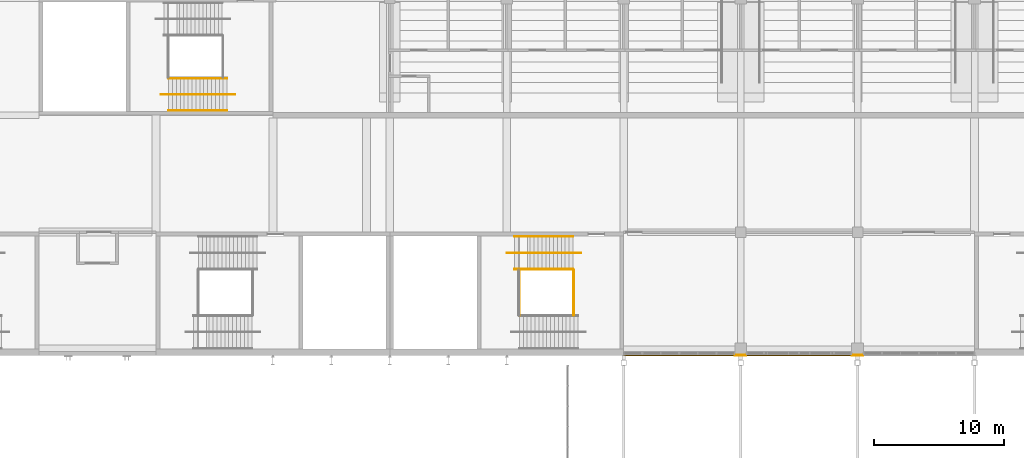
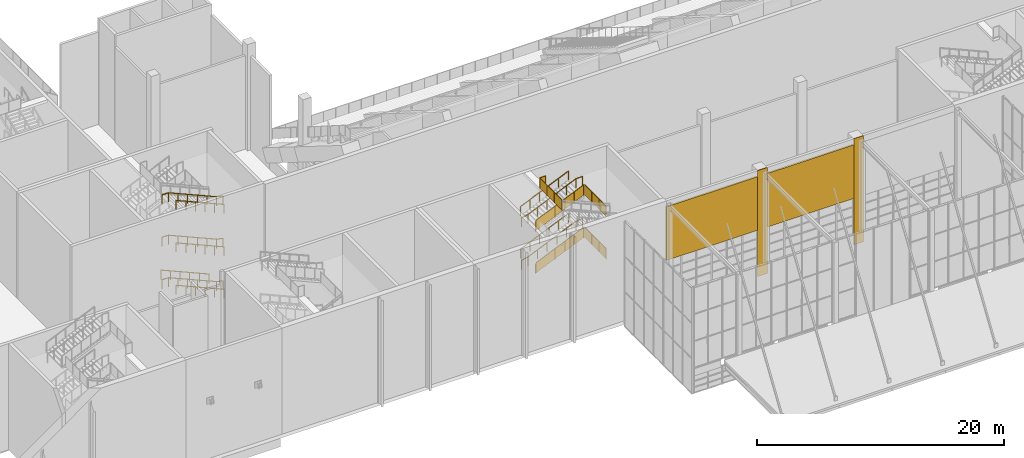
# One storey, part 142 of 182: 18 railings, 4 coverings.
"""IFC4 building model written with IfcOpenShell, lengths in metres."""

from ifc_helpers import new_model, si_unit, direction, frame, origin, origin_2d, place, context, subcontext, project, spatial, polyline, circle, outline, extrude, material, layer, layer_set, type_object, element, save


model = new_model("IFC4")

# Units and contexts
model_context = context("Model", 3, precision=1e-05, world=origin(), true_north=direction((0.0, 1.0)))
body_context = subcontext(model_context, "Body", "Model", "MODEL_VIEW")
ifc_project = project(units=[si_unit("LENGTHUNIT", "METRE"), si_unit("AREAUNIT", "SQUARE_METRE"), si_unit("VOLUMEUNIT", "CUBIC_METRE"), si_unit("PLANEANGLEUNIT", "RADIAN"), si_unit("MASSUNIT", "GRAM", prefix="KILO")], contexts=[model_context])

# Site, building, storey
site_placement = place(None, origin())
site = spatial("IfcSite", under=ifc_project, at=site_placement, CompositionType="ELEMENT")
building_placement = place(site_placement, origin())
building = spatial("IfcBuilding", under=site, at=building_placement, Name="Silverbay Arena", CompositionType="ELEMENT")
storey_placement = place(building_placement, frame((0.0, 0.0, 11.5)))
storey = spatial("IfcBuildingStorey", under=building, at=storey_placement, Name="L02", CompositionType="ELEMENT", Elevation=11.5)

# Coverings
ifc_material_1 = material(Name="Aluminium composite cladding", Category="aluminium")
ifc_layer_1 = layer(ifc_material_1, 0.050048828125)
ifc_layer_set_1 = layer_set([ifc_layer_1], Name="Aluminium composite cladding")
covering_type_1 = type_object("IfcCoveringType", Name="Column cladding 50", PredefinedType="CLADDING", material=ifc_layer_set_1)
covering_1_placement = place(storey_placement, origin())
element("IfcCovering", 1, at=covering_1_placement, inside=storey, type_object=covering_type_1, Name="South column cladding L02 1", PredefinedType="CLADDING", context=body_context, shape_type="SweptSolid", body=[
    extrude(outline(polyline([(125.550048828125, 17.5), (126.449951171875, 17.5), (126.449951171875, 17.550048828125), (125.550048828125, 17.550048828125), (125.550048828125, 17.5)])), origin(), (0.0, 0.0, 1.0), 10.5),
])
covering_2_placement = place(storey_placement, origin())
element("IfcCovering", 2, at=covering_2_placement, inside=storey, type_object=covering_type_1, Name="South column cladding L02 3", PredefinedType="CLADDING", context=body_context, shape_type="SweptSolid", body=[
    extrude(outline(polyline([(134.550048828125, 17.5), (135.449951171875, 17.5), (135.449951171875, 17.550048828125), (134.550048828125, 17.550048828125), (134.550048828125, 17.5)])), origin(), (0.0, 0.0, 1.0), 10.5),
])
ifc_material_2 = material(Name="Aluminium composite cladding", Category="aluminium")
ifc_layer_2 = layer(ifc_material_2, 0.14990234375)
ifc_layer_set_2 = layer_set([ifc_layer_2], Name="Aluminium composite cladding")
covering_type_2 = type_object("IfcCoveringType", Name="Facade cladding panel 150", PredefinedType="CLADDING", material=ifc_layer_set_2)
covering_3_placement = place(storey_placement, frame((0.0, 0.0, 4.60009765625)))
element("IfcCovering", 3, at=covering_3_placement, inside=storey, type_object=covering_type_2, Name="South facade cladding L02 bay 8", PredefinedType="CLADDING", context=body_context, shape_type="SweptSolid", body=[
    extrude(outline(polyline([(117.0, 17.5), (125.550048828125, 17.5), (125.550048828125, 17.64990234375), (117.0, 17.64990234375), (117.0, 17.5)])), origin(), (0.0, 0.0, 1.0), 5.2998046875),
])
covering_4_placement = place(storey_placement, frame((0.0, 0.0, 4.60009765625)))
element("IfcCovering", 4, at=covering_4_placement, inside=storey, type_object=covering_type_2, Name="South facade cladding L02 bay 9", PredefinedType="CLADDING", context=body_context, shape_type="SweptSolid", body=[
    extrude(outline(polyline([(126.449951171875, 17.5), (134.550048828125, 17.5), (134.550048828125, 17.64990234375), (126.449951171875, 17.64990234375), (126.449951171875, 17.5)])), origin(), (0.0, 0.0, 1.0), 5.2998046875),
])

# Railings
ifc_material_3 = material(Name="Stainless steel", Category="steel")
railing_type_1 = type_object("IfcRailingType", Name="Stair guard 1100", PredefinedType="GUARDRAIL", material=ifc_material_3)
railing_1_placement = place(storey_placement, frame((108.60009765625, 24.125, 2.231201171875)))
element("IfcRailing", 5, at=railing_1_placement, inside=storey, type_object=railing_type_1, Name="Stair ST-S2 L02 to L03 flight 2 guard right", PredefinedType="GUARDRAIL", context=body_context, shape_type="SweptSolid", body=[
    extrude(circle(Radius=0.02392578125, at=origin_2d()), frame((0.0, 0.0, 1.076171875), z_axis=(0.916157334902, 0.0, 0.40081883402), x_axis=(0.0, 1.0, 0.0)), (0.0, 0.0, 1.0), 4.911865234375),
    extrude(outline(polyline([(-0.008056640625, 0.04638671875), (0.907958984375, 0.447265625), (0.907958984375, 1.4501953125), (-0.008056640625, 1.049560546875), (-0.008056640625, 0.04638671875)])), frame((0.0, 0.0029296875, 0.0), z_axis=(0.0, -1.0, 0.0), x_axis=(1.0, 0.0, 0.0)), (0.0, 0.0, 1.0), 0.006103515625),
    extrude(outline(polyline([(-0.008056640625, 0.440185546875), (0.907958984375, 0.841064453125), (0.907958984375, 1.843994140625), (-0.008056640625, 1.443359375), (-0.008056640625, 0.440185546875)])), frame((0.89990234375, 0.0029296875, 0.0), z_axis=(0.0, -1.0, 0.0), x_axis=(1.0, 0.0, 0.0)), (0.0, 0.0, 1.0), 0.006103515625),
    extrude(outline(polyline([(-0.008056640625, 0.833984375), (0.907958984375, 1.23486328125), (0.907958984375, 2.23779296875), (-0.008056640625, 1.8369140625), (-0.008056640625, 0.833984375)])), frame((1.800048828125, 0.0029296875, 0.0), z_axis=(0.0, -1.0, 0.0), x_axis=(1.0, 0.0, 0.0)), (0.0, 0.0, 1.0), 0.006103515625),
    extrude(outline(polyline([(-0.008056640625, 1.227783203125), (0.907958984375, 1.62841796875), (0.907958984375, 2.631591796875), (-0.008056640625, 2.230712890625), (-0.008056640625, 1.227783203125)])), frame((2.699951171875, 0.0029296875, 0.0), z_axis=(0.0, -1.0, 0.0), x_axis=(1.0, 0.0, 0.0)), (0.0, 0.0, 1.0), 0.006103515625),
    extrude(outline(polyline([(-0.008056640625, 1.62158203125), (0.907958984375, 2.022216796875), (0.907958984375, 3.025146484375), (-0.008056640625, 2.62451171875), (-0.008056640625, 1.62158203125)])), frame((3.60009765625, 0.0029296875, 0.0), z_axis=(0.0, -1.0, 0.0), x_axis=(1.0, 0.0, 0.0)), (0.0, 0.0, 1.0), 0.006103515625),
    extrude(circle(Radius=0.02099609375, at=origin_2d()), origin(), (0.0, 0.0, 1.0), 1.052001953125),
    extrude(circle(Radius=0.02099609375, at=origin_2d()), frame((0.89990234375, 0.0, 0.393798828125)), (0.0, 0.0, 1.0), 1.052001953125),
    extrude(circle(Radius=0.02099609375, at=origin_2d()), frame((1.800048828125, 0.0, 0.78759765625)), (0.0, 0.0, 1.0), 1.052001953125),
    extrude(circle(Radius=0.02099609375, at=origin_2d()), frame((2.699951171875, 0.0, 1.18115234375)), (0.0, 0.0, 1.0), 1.052001953125),
    extrude(circle(Radius=0.02099609375, at=origin_2d()), frame((3.60009765625, 0.0, 1.574951171875)), (0.0, 0.0, 1.0), 1.052001953125),
    extrude(circle(Radius=0.02099609375, at=origin_2d()), frame((4.5, 0.0, 1.96875)), (0.0, 0.0, 1.0), 1.052001953125),
])
railing_2_placement = place(storey_placement, frame((108.60009765625, 24.125, 6.43115234375)))
element("IfcRailing", 6, at=railing_2_placement, inside=storey, type_object=railing_type_1, Name="Stair ST-S2 L02 to L03 flight 4 guard right", PredefinedType="GUARDRAIL", context=body_context, shape_type="SweptSolid", body=[
    extrude(circle(Radius=0.02392578125, at=origin_2d()), frame((0.0, 0.0, 1.076171875), z_axis=(0.916157334902, 0.0, 0.40081883402), x_axis=(0.0, 1.0, 0.0)), (0.0, 0.0, 1.0), 4.911865234375),
    extrude(outline(polyline([(-0.008056640625, 0.04638671875), (0.907958984375, 0.447265625), (0.907958984375, 1.4501953125), (-0.008056640625, 1.049560546875), (-0.008056640625, 0.04638671875)])), frame((0.0, 0.0029296875, 0.0), z_axis=(0.0, -1.0, 0.0), x_axis=(1.0, 0.0, 0.0)), (0.0, 0.0, 1.0), 0.006103515625),
    extrude(outline(polyline([(-0.008056640625, 0.440185546875), (0.907958984375, 0.841064453125), (0.907958984375, 1.843994140625), (-0.008056640625, 1.443359375), (-0.008056640625, 0.440185546875)])), frame((0.89990234375, 0.0029296875, 0.0), z_axis=(0.0, -1.0, 0.0), x_axis=(1.0, 0.0, 0.0)), (0.0, 0.0, 1.0), 0.006103515625),
    extrude(outline(polyline([(-0.008056640625, 0.833984375), (0.907958984375, 1.23486328125), (0.907958984375, 2.23779296875), (-0.008056640625, 1.8369140625), (-0.008056640625, 0.833984375)])), frame((1.800048828125, 0.0029296875, 0.0), z_axis=(0.0, -1.0, 0.0), x_axis=(1.0, 0.0, 0.0)), (0.0, 0.0, 1.0), 0.006103515625),
    extrude(outline(polyline([(-0.008056640625, 1.227783203125), (0.907958984375, 1.62841796875), (0.907958984375, 2.631591796875), (-0.008056640625, 2.230712890625), (-0.008056640625, 1.227783203125)])), frame((2.699951171875, 0.0029296875, 0.0), z_axis=(0.0, -1.0, 0.0), x_axis=(1.0, 0.0, 0.0)), (0.0, 0.0, 1.0), 0.006103515625),
    extrude(outline(polyline([(-0.008056640625, 1.62158203125), (0.907958984375, 2.022216796875), (0.907958984375, 3.025146484375), (-0.008056640625, 2.62451171875), (-0.008056640625, 1.62158203125)])), frame((3.60009765625, 0.0029296875, 0.0), z_axis=(0.0, -1.0, 0.0), x_axis=(1.0, 0.0, 0.0)), (0.0, 0.0, 1.0), 0.006103515625),
    extrude(circle(Radius=0.02099609375, at=origin_2d()), origin(), (0.0, 0.0, 1.0), 1.052001953125),
    extrude(circle(Radius=0.02099609375, at=origin_2d()), frame((0.89990234375, 0.0, 0.393798828125)), (0.0, 0.0, 1.0), 1.052001953125),
    extrude(circle(Radius=0.02099609375, at=origin_2d()), frame((1.800048828125, 0.0, 0.78759765625)), (0.0, 0.0, 1.0), 1.052001953125),
    extrude(circle(Radius=0.02099609375, at=origin_2d()), frame((2.699951171875, 0.0, 1.18115234375)), (0.0, 0.0, 1.0), 1.052001953125),
    extrude(circle(Radius=0.02099609375, at=origin_2d()), frame((3.60009765625, 0.0, 1.574951171875)), (0.0, 0.0, 1.0), 1.052001953125),
    extrude(circle(Radius=0.02099609375, at=origin_2d()), frame((4.5, 0.0, 1.96875)), (0.0, 0.0, 1.0), 1.052001953125),
])
for number, where, name in (
    (7, (113.14990234375, 24.10009765625, 4.199951171875), "Stair ST-S2 L02 to L03 landing 2 guard"),
    (8, (113.14990234375, 24.10009765625, 8.39990234375), "Stair ST-S2 L02 to L03 landing 4 guard"),
):
    element("IfcRailing", number, at=place(storey_placement, frame(where)), inside=storey, type_object=railing_type_1, Name=name, PredefinedType="GUARDRAIL", context=body_context, shape_type="SweptSolid", body=[
        extrude(circle(Radius=0.02392578125, at=origin_2d()), frame((0.0, 0.0, 1.076171875), z_axis=(0.0, -1.0, 0.0), x_axis=(1.0, 0.0, 0.0)), (0.0, 0.0, 1.0), 3.5),
        extrude(outline(polyline([(-0.008056640625, 0.050048828125), (1.174560546875, 0.050048828125), (1.174560546875, 1.052978515625), (-0.008056640625, 1.052978515625), (-0.008056640625, 0.050048828125)])), frame((0.0029296875, 0.0, 0.0), z_axis=(-1.0, 0.0, 0.0), x_axis=(0.0, -1.0, 0.0)), (0.0, 0.0, 1.0), 0.006103515625),
        extrude(outline(polyline([(-0.008056640625, 0.050048828125), (1.174560546875, 0.050048828125), (1.174560546875, 1.052978515625), (-0.008056640625, 1.052978515625), (-0.008056640625, 0.050048828125)])), frame((0.0029296875, -1.166748046875, 0.0), z_axis=(-1.0, 0.0, 0.0), x_axis=(0.0, -1.0, 0.0)), (0.0, 0.0, 1.0), 0.006103515625),
        extrude(outline(polyline([(-0.008056640625, 0.050048828125), (1.174560546875, 0.050048828125), (1.174560546875, 1.052978515625), (-0.008056640625, 1.052978515625), (-0.008056640625, 0.050048828125)])), frame((0.0029296875, -2.333251953125, 0.0), z_axis=(-1.0, 0.0, 0.0), x_axis=(0.0, -1.0, 0.0)), (0.0, 0.0, 1.0), 0.006103515625),
        extrude(circle(Radius=0.02099609375, at=origin_2d()), origin(), (0.0, 0.0, 1.0), 1.052001953125),
        extrude(circle(Radius=0.02099609375, at=origin_2d()), frame((0.0, -1.166748046875, 0.0)), (0.0, 0.0, 1.0), 1.052001953125),
        extrude(circle(Radius=0.02099609375, at=origin_2d()), frame((0.0, -2.333251953125, 0.0)), (0.0, 0.0, 1.0), 1.052001953125),
        extrude(circle(Radius=0.02099609375, at=origin_2d()), frame((0.0, -3.5, 0.0)), (0.0, 0.0, 1.0), 1.052001953125),
    ])
railing_3_placement = place(storey_placement, frame((109.550048828125, 24.14990234375, 10.5)))
element("IfcRailing", 9, at=railing_3_placement, inside=storey, type_object=railing_type_1, Name="Stair ST-S2 L02 to L03 landing 5 guard", PredefinedType="GUARDRAIL", context=body_context, shape_type="SweptSolid", body=[
    extrude(circle(Radius=0.02392578125, at=origin_2d()), frame((0.0, 0.0, 1.076171875), z_axis=(-1.0, 0.0, 0.0), x_axis=(0.0, -1.0, 0.0)), (0.0, 0.0, 1.0), 0.575927734375),
    extrude(outline(polyline([(-0.008056640625, 0.050048828125), (0.583984375, 0.050048828125), (0.583984375, 1.052978515625), (-0.008056640625, 1.052978515625), (-0.008056640625, 0.050048828125)])), frame((0.0, -0.0029296875, 0.0), z_axis=(0.0, 1.0, 0.0), x_axis=(-1.0, 0.0, 0.0)), (0.0, 0.0, 1.0), 0.006103515625),
    extrude(circle(Radius=0.02392578125, at=origin_2d()), frame((-0.575927734375, 0.0, 1.076171875), z_axis=(0.0, -1.0, 0.0), x_axis=(1.0, 0.0, 0.0)), (0.0, 0.0, 1.0), 3.5498046875),
    extrude(outline(polyline([(-0.008056640625, 0.050048828125), (1.191162109375, 0.050048828125), (1.191162109375, 1.052978515625), (-0.008056640625, 1.052978515625), (-0.008056640625, 0.050048828125)])), frame((-0.572998046875, 0.0, 0.0), z_axis=(-1.0, 0.0, 0.0), x_axis=(0.0, -1.0, 0.0)), (0.0, 0.0, 1.0), 0.006103515625),
    extrude(outline(polyline([(-0.008056640625, 0.050048828125), (1.191162109375, 0.050048828125), (1.191162109375, 1.052978515625), (-0.008056640625, 1.052978515625), (-0.008056640625, 0.050048828125)])), frame((-0.572998046875, -1.183349609375, 0.0), z_axis=(-1.0, 0.0, 0.0), x_axis=(0.0, -1.0, 0.0)), (0.0, 0.0, 1.0), 0.006103515625),
    extrude(outline(polyline([(-0.008056640625, 0.050048828125), (1.191162109375, 0.050048828125), (1.191162109375, 1.052978515625), (-0.008056640625, 1.052978515625), (-0.008056640625, 0.050048828125)])), frame((-0.572998046875, -2.366455078125, 0.0), z_axis=(-1.0, 0.0, 0.0), x_axis=(0.0, -1.0, 0.0)), (0.0, 0.0, 1.0), 0.006103515625),
    extrude(circle(Radius=0.02099609375, at=origin_2d()), origin(), (0.0, 0.0, 1.0), 1.052001953125),
    extrude(circle(Radius=0.02099609375, at=origin_2d()), frame((-0.575927734375, 0.0, 0.0)), (0.0, 0.0, 1.0), 1.052001953125),
    extrude(circle(Radius=0.02099609375, at=origin_2d()), frame((-0.575927734375, -1.183349609375, 0.0)), (0.0, 0.0, 1.0), 1.052001953125),
    extrude(circle(Radius=0.02099609375, at=origin_2d()), frame((-0.575927734375, -2.366455078125, 0.0)), (0.0, 0.0, 1.0), 1.052001953125),
    extrude(circle(Radius=0.02099609375, at=origin_2d()), frame((-0.575927734375, -3.5498046875, 0.0)), (0.0, 0.0, 1.0), 1.052001953125),
])
ifc_material_4 = material(Name="Stainless steel", Category="steel")
railing_type_2 = type_object("IfcRailingType", Name="Stair handrail 900", PredefinedType="HANDRAIL", material=ifc_material_4)
for number, where, name in (
    (10, (108.60009765625, 26.64990234375, 2.231201171875), "Stair ST-S2 L02 to L03 flight 2 handrail left"),
    (11, (108.60009765625, 24.1640625, 2.231201171875), "Stair ST-S2 L02 to L03 flight 2 handrail right"),
):
    element("IfcRailing", number, at=place(storey_placement, frame(where)), inside=storey, type_object=railing_type_2, Name=name, PredefinedType="HANDRAIL", context=body_context, shape_type="SweptSolid", body=[
        extrude(circle(Radius=0.02392578125, at=origin_2d()), frame((0.0, 0.0, 0.8759765625), z_axis=(0.916157334902, 0.0, 0.40081883402), x_axis=(0.0, 1.0, 0.0)), (0.0, 0.0, 1.0), 4.911865234375),
        extrude(circle(Radius=0.02099609375, at=origin_2d()), origin(), (0.0, 0.0, 1.0), 0.851806640625),
        extrude(circle(Radius=0.02099609375, at=origin_2d()), frame((0.89990234375, 0.0, 0.393798828125)), (0.0, 0.0, 1.0), 0.851806640625),
        extrude(circle(Radius=0.02099609375, at=origin_2d()), frame((1.800048828125, 0.0, 0.78759765625)), (0.0, 0.0, 1.0), 0.851806640625),
        extrude(circle(Radius=0.02099609375, at=origin_2d()), frame((2.699951171875, 0.0, 1.18115234375)), (0.0, 0.0, 1.0), 0.851806640625),
        extrude(circle(Radius=0.02099609375, at=origin_2d()), frame((3.60009765625, 0.0, 1.574951171875)), (0.0, 0.0, 1.0), 0.851806640625),
        extrude(circle(Radius=0.02099609375, at=origin_2d()), frame((4.5, 0.0, 1.96875)), (0.0, 0.0, 1.0), 0.851806640625),
    ])
railing_4_placement = place(storey_placement, frame((108.0, 25.39990234375, 2.10009765625)))
element("IfcRailing", 12, at=railing_4_placement, inside=storey, type_object=railing_type_2, Name="Stair ST-S2 L02 to L03 flight 2 central handrail", PredefinedType="HANDRAIL", context=body_context, shape_type="SweptSolid", body=[
    extrude(circle(Radius=0.02392578125, at=origin_2d()), frame((0.0, 0.0, 0.8759765625), z_axis=(0.976957027196, 0.0, 0.213436095852), x_axis=(0.0, 1.0, 0.0)), (0.0, 0.0, 1.0), 0.6142578125),
    extrude(circle(Radius=0.02392578125, at=origin_2d()), frame((0.60009765625, 0.0, 1.0068359375), z_axis=(0.916157334902, 0.0, 0.40081883402), x_axis=(0.0, 1.0, 0.0)), (0.0, 0.0, 1.0), 4.911865234375),
    extrude(circle(Radius=0.02392578125, at=origin_2d()), frame((5.10009765625, 0.0, 2.9755859375), z_axis=(1.0, 0.0, 0.0), x_axis=(0.0, 1.0, 0.0)), (0.0, 0.0, 1.0), 0.599853515625),
    extrude(circle(Radius=0.02099609375, at=origin_2d()), origin(), (0.0, 0.0, 1.0), 0.851806640625),
    extrude(circle(Radius=0.02099609375, at=origin_2d()), frame((0.60009765625, 0.0, 0.131103515625)), (0.0, 0.0, 1.0), 0.851806640625),
    extrude(circle(Radius=0.02099609375, at=origin_2d()), frame((1.5, 0.0, 0.52490234375)), (0.0, 0.0, 1.0), 0.851806640625),
    extrude(circle(Radius=0.02099609375, at=origin_2d()), frame((2.400146484375, 0.0, 0.918701171875)), (0.0, 0.0, 1.0), 0.851806640625),
    extrude(circle(Radius=0.02099609375, at=origin_2d()), frame((3.300048828125, 0.0, 1.312255859375)), (0.0, 0.0, 1.0), 0.851806640625),
    extrude(circle(Radius=0.02099609375, at=origin_2d()), frame((4.2001953125, 0.0, 1.7060546875)), (0.0, 0.0, 1.0), 0.851806640625),
    extrude(circle(Radius=0.02099609375, at=origin_2d()), frame((5.10009765625, 0.0, 2.099853515625)), (0.0, 0.0, 1.0), 0.851806640625),
    extrude(circle(Radius=0.02099609375, at=origin_2d()), frame((5.699951171875, 0.0, 2.099853515625)), (0.0, 0.0, 1.0), 0.851806640625),
])
for number, where, name in (
    (13, (108.60009765625, 26.64990234375, 6.43115234375), "Stair ST-S2 L02 to L03 flight 4 handrail left"),
    (14, (108.60009765625, 24.1640625, 6.43115234375), "Stair ST-S2 L02 to L03 flight 4 handrail right"),
):
    element("IfcRailing", number, at=place(storey_placement, frame(where)), inside=storey, type_object=railing_type_2, Name=name, PredefinedType="HANDRAIL", context=body_context, shape_type="SweptSolid", body=[
        extrude(circle(Radius=0.02392578125, at=origin_2d()), frame((0.0, 0.0, 0.8759765625), z_axis=(0.916157334902, 0.0, 0.40081883402), x_axis=(0.0, 1.0, 0.0)), (0.0, 0.0, 1.0), 4.911865234375),
        extrude(circle(Radius=0.02099609375, at=origin_2d()), origin(), (0.0, 0.0, 1.0), 0.851806640625),
        extrude(circle(Radius=0.02099609375, at=origin_2d()), frame((0.89990234375, 0.0, 0.393798828125)), (0.0, 0.0, 1.0), 0.851806640625),
        extrude(circle(Radius=0.02099609375, at=origin_2d()), frame((1.800048828125, 0.0, 0.78759765625)), (0.0, 0.0, 1.0), 0.851806640625),
        extrude(circle(Radius=0.02099609375, at=origin_2d()), frame((2.699951171875, 0.0, 1.18115234375)), (0.0, 0.0, 1.0), 0.851806640625),
        extrude(circle(Radius=0.02099609375, at=origin_2d()), frame((3.60009765625, 0.0, 1.574951171875)), (0.0, 0.0, 1.0), 0.851806640625),
        extrude(circle(Radius=0.02099609375, at=origin_2d()), frame((4.5, 0.0, 1.96875)), (0.0, 0.0, 1.0), 0.851806640625),
    ])
railing_5_placement = place(storey_placement, frame((108.0, 25.39990234375, 6.300048828125)))
element("IfcRailing", 15, at=railing_5_placement, inside=storey, type_object=railing_type_2, Name="Stair ST-S2 L02 to L03 flight 4 central handrail", PredefinedType="HANDRAIL", context=body_context, shape_type="SweptSolid", body=[
    extrude(circle(Radius=0.02392578125, at=origin_2d()), frame((0.0, 0.0, 0.8759765625), z_axis=(0.976957027196, 0.0, 0.213436095852), x_axis=(0.0, 1.0, 0.0)), (0.0, 0.0, 1.0), 0.6142578125),
    extrude(circle(Radius=0.02392578125, at=origin_2d()), frame((0.60009765625, 0.0, 1.0068359375), z_axis=(0.916157334902, 0.0, 0.40081883402), x_axis=(0.0, 1.0, 0.0)), (0.0, 0.0, 1.0), 4.911865234375),
    extrude(circle(Radius=0.02392578125, at=origin_2d()), frame((5.10009765625, 0.0, 2.9755859375), z_axis=(1.0, 0.0, 0.0), x_axis=(0.0, 1.0, 0.0)), (0.0, 0.0, 1.0), 0.599853515625),
    extrude(circle(Radius=0.02099609375, at=origin_2d()), origin(), (0.0, 0.0, 1.0), 0.851806640625),
    extrude(circle(Radius=0.02099609375, at=origin_2d()), frame((0.60009765625, 0.0, 0.131103515625)), (0.0, 0.0, 1.0), 0.851806640625),
    extrude(circle(Radius=0.02099609375, at=origin_2d()), frame((1.5, 0.0, 0.52490234375)), (0.0, 0.0, 1.0), 0.851806640625),
    extrude(circle(Radius=0.02099609375, at=origin_2d()), frame((2.400146484375, 0.0, 0.918701171875)), (0.0, 0.0, 1.0), 0.851806640625),
    extrude(circle(Radius=0.02099609375, at=origin_2d()), frame((3.300048828125, 0.0, 1.312255859375)), (0.0, 0.0, 1.0), 0.851806640625),
    extrude(circle(Radius=0.02099609375, at=origin_2d()), frame((4.2001953125, 0.0, 1.7060546875)), (0.0, 0.0, 1.0), 0.851806640625),
    extrude(circle(Radius=0.02099609375, at=origin_2d()), frame((5.10009765625, 0.0, 2.099853515625)), (0.0, 0.0, 1.0), 0.851806640625),
    extrude(circle(Radius=0.02099609375, at=origin_2d()), frame((5.699951171875, 0.0, 2.099853515625)), (0.0, 0.0, 1.0), 0.851806640625),
])
for number, where, name in (
    (16, (86.47412109375, 38.8359375, 0.13134765625), "Stair ST-SW1 L02 to L03 flight 1 handrail left"),
    (17, (86.47412109375, 36.35009765625, 0.13134765625), "Stair ST-SW1 L02 to L03 flight 1 handrail right"),
):
    element("IfcRailing", number, at=place(storey_placement, frame(where)), inside=storey, type_object=railing_type_2, Name=name, PredefinedType="HANDRAIL", context=body_context, shape_type="SweptSolid", body=[
        extrude(circle(Radius=0.02392578125, at=origin_2d()), frame((0.0, 0.0, 0.8759765625), z_axis=(-0.916157334902, 0.0, 0.40081883402), x_axis=(0.0, -1.0, 0.0)), (0.0, 0.0, 1.0), 4.911865234375),
        extrude(circle(Radius=0.02099609375, at=origin_2d()), origin(), (0.0, 0.0, 1.0), 0.851806640625),
        extrude(circle(Radius=0.02099609375, at=origin_2d()), frame((-0.89990234375, 0.0, 0.393798828125)), (0.0, 0.0, 1.0), 0.851806640625),
        extrude(circle(Radius=0.02099609375, at=origin_2d()), frame((-1.800048828125, 0.0, 0.78759765625)), (0.0, 0.0, 1.0), 0.851806640625),
        extrude(circle(Radius=0.02099609375, at=origin_2d()), frame((-2.699951171875, 0.0, 1.18115234375)), (0.0, 0.0, 1.0), 0.851806640625),
        extrude(circle(Radius=0.02099609375, at=origin_2d()), frame((-3.60009765625, 0.0, 1.574951171875)), (0.0, 0.0, 1.0), 0.851806640625),
        extrude(circle(Radius=0.02099609375, at=origin_2d()), frame((-4.5, 0.0, 1.96875)), (0.0, 0.0, 1.0), 0.851806640625),
    ])
railing_6_placement = place(storey_placement, frame((87.07421875, 37.60009765625, 0.0)))
element("IfcRailing", 18, at=railing_6_placement, inside=storey, type_object=railing_type_2, Name="Stair ST-SW1 L02 to L03 flight 1 central handrail", PredefinedType="HANDRAIL", context=body_context, shape_type="SweptSolid", body=[
    extrude(circle(Radius=0.02392578125, at=origin_2d()), frame((0.0, 0.0, 0.8759765625), z_axis=(-0.976874083041, 0.0, 0.213815401414), x_axis=(0.0, -1.0, 0.0)), (0.0, 0.0, 1.0), 0.6142578125),
    extrude(circle(Radius=0.02392578125, at=origin_2d()), frame((-0.60009765625, 0.0, 1.00732421875), z_axis=(-0.916157334902, 0.0, 0.40081883402), x_axis=(0.0, -1.0, 0.0)), (0.0, 0.0, 1.0), 4.911865234375),
    extrude(circle(Radius=0.02392578125, at=origin_2d()), frame((-5.10009765625, 0.0, 2.97607421875), z_axis=(-1.0, 0.0, 0.0), x_axis=(0.0, -1.0, 0.0)), (0.0, 0.0, 1.0), 0.599853515625),
    extrude(circle(Radius=0.02099609375, at=origin_2d()), origin(), (0.0, 0.0, 1.0), 0.851806640625),
    extrude(circle(Radius=0.02099609375, at=origin_2d()), frame((-0.60009765625, 0.0, 0.13134765625)), (0.0, 0.0, 1.0), 0.851806640625),
    extrude(circle(Radius=0.02099609375, at=origin_2d()), frame((-1.5, 0.0, 0.525146484375)), (0.0, 0.0, 1.0), 0.851806640625),
    extrude(circle(Radius=0.02099609375, at=origin_2d()), frame((-2.400146484375, 0.0, 0.9189453125)), (0.0, 0.0, 1.0), 0.851806640625),
    extrude(circle(Radius=0.02099609375, at=origin_2d()), frame((-3.300048828125, 0.0, 1.3125)), (0.0, 0.0, 1.0), 0.851806640625),
    extrude(circle(Radius=0.02099609375, at=origin_2d()), frame((-4.2001953125, 0.0, 1.706298828125)), (0.0, 0.0, 1.0), 0.851806640625),
    extrude(circle(Radius=0.02099609375, at=origin_2d()), frame((-5.10009765625, 0.0, 2.10009765625)), (0.0, 0.0, 1.0), 0.851806640625),
    extrude(circle(Radius=0.02099609375, at=origin_2d()), frame((-5.699951171875, 0.0, 2.10009765625)), (0.0, 0.0, 1.0), 0.851806640625),
])
railing_7_placement = place(storey_placement, frame((86.47412109375, 36.35009765625, 4.331298828125)))
element("IfcRailing", 19, at=railing_7_placement, inside=storey, type_object=railing_type_2, Name="Stair ST-SW1 L02 to L03 flight 3 handrail right", PredefinedType="HANDRAIL", context=body_context, shape_type="SweptSolid", body=[
    extrude(circle(Radius=0.02392578125, at=origin_2d()), frame((0.0, 0.0, 0.8759765625), z_axis=(-0.916157334902, 0.0, 0.40081883402), x_axis=(0.0, -1.0, 0.0)), (0.0, 0.0, 1.0), 4.911865234375),
    extrude(circle(Radius=0.02099609375, at=origin_2d()), origin(), (0.0, 0.0, 1.0), 0.851806640625),
    extrude(circle(Radius=0.02099609375, at=origin_2d()), frame((-0.89990234375, 0.0, 0.393798828125)), (0.0, 0.0, 1.0), 0.851806640625),
    extrude(circle(Radius=0.02099609375, at=origin_2d()), frame((-1.800048828125, 0.0, 0.78759765625)), (0.0, 0.0, 1.0), 0.851806640625),
    extrude(circle(Radius=0.02099609375, at=origin_2d()), frame((-2.699951171875, 0.0, 1.18115234375)), (0.0, 0.0, 1.0), 0.851806640625),
    extrude(circle(Radius=0.02099609375, at=origin_2d()), frame((-3.60009765625, 0.0, 1.574951171875)), (0.0, 0.0, 1.0), 0.851806640625),
    extrude(circle(Radius=0.02099609375, at=origin_2d()), frame((-4.5, 0.0, 1.96875)), (0.0, 0.0, 1.0), 0.851806640625),
])
railing_8_placement = place(storey_placement, frame((87.07421875, 37.60009765625, 4.199951171875)))
element("IfcRailing", 20, at=railing_8_placement, inside=storey, type_object=railing_type_2, Name="Stair ST-SW1 L02 to L03 flight 3 central handrail", PredefinedType="HANDRAIL", context=body_context, shape_type="SweptSolid", body=[
    extrude(circle(Radius=0.02392578125, at=origin_2d()), frame((0.0, 0.0, 0.8759765625), z_axis=(-0.976874083041, 0.0, 0.213815401414), x_axis=(0.0, -1.0, 0.0)), (0.0, 0.0, 1.0), 0.6142578125),
    extrude(circle(Radius=0.02392578125, at=origin_2d()), frame((-0.60009765625, 0.0, 1.00732421875), z_axis=(-0.916157334902, 0.0, 0.40081883402), x_axis=(0.0, -1.0, 0.0)), (0.0, 0.0, 1.0), 4.911865234375),
    extrude(circle(Radius=0.02392578125, at=origin_2d()), frame((-5.10009765625, 0.0, 2.97607421875), z_axis=(-1.0, 0.0, 0.0), x_axis=(0.0, -1.0, 0.0)), (0.0, 0.0, 1.0), 0.599853515625),
    extrude(circle(Radius=0.02099609375, at=origin_2d()), origin(), (0.0, 0.0, 1.0), 0.851806640625),
    extrude(circle(Radius=0.02099609375, at=origin_2d()), frame((-0.60009765625, 0.0, 0.13134765625)), (0.0, 0.0, 1.0), 0.851806640625),
    extrude(circle(Radius=0.02099609375, at=origin_2d()), frame((-1.5, 0.0, 0.525146484375)), (0.0, 0.0, 1.0), 0.851806640625),
    extrude(circle(Radius=0.02099609375, at=origin_2d()), frame((-2.400146484375, 0.0, 0.9189453125)), (0.0, 0.0, 1.0), 0.851806640625),
    extrude(circle(Radius=0.02099609375, at=origin_2d()), frame((-3.300048828125, 0.0, 1.3125)), (0.0, 0.0, 1.0), 0.851806640625),
    extrude(circle(Radius=0.02099609375, at=origin_2d()), frame((-4.2001953125, 0.0, 1.706298828125)), (0.0, 0.0, 1.0), 0.851806640625),
    extrude(circle(Radius=0.02099609375, at=origin_2d()), frame((-5.10009765625, 0.0, 2.10009765625)), (0.0, 0.0, 1.0), 0.851806640625),
    extrude(circle(Radius=0.02099609375, at=origin_2d()), frame((-5.699951171875, 0.0, 2.10009765625)), (0.0, 0.0, 1.0), 0.851806640625),
])
railing_9_placement = place(storey_placement, frame((86.47412109375, 36.35009765625, 8.53125)))
element("IfcRailing", 21, at=railing_9_placement, inside=storey, type_object=railing_type_2, Name="Stair ST-SW1 L02 to L03 flight 5 handrail right", PredefinedType="HANDRAIL", context=body_context, shape_type="SweptSolid", body=[
    extrude(circle(Radius=0.02392578125, at=origin_2d()), frame((0.0, 0.0, 0.8759765625), z_axis=(-0.916157334902, 0.0, 0.40081883402), x_axis=(0.0, -1.0, 0.0)), (0.0, 0.0, 1.0), 4.911865234375),
    extrude(circle(Radius=0.02099609375, at=origin_2d()), origin(), (0.0, 0.0, 1.0), 0.851806640625),
    extrude(circle(Radius=0.02099609375, at=origin_2d()), frame((-0.89990234375, 0.0, 0.393798828125)), (0.0, 0.0, 1.0), 0.851806640625),
    extrude(circle(Radius=0.02099609375, at=origin_2d()), frame((-1.800048828125, 0.0, 0.78759765625)), (0.0, 0.0, 1.0), 0.851806640625),
    extrude(circle(Radius=0.02099609375, at=origin_2d()), frame((-2.699951171875, 0.0, 1.18115234375)), (0.0, 0.0, 1.0), 0.851806640625),
    extrude(circle(Radius=0.02099609375, at=origin_2d()), frame((-3.60009765625, 0.0, 1.574951171875)), (0.0, 0.0, 1.0), 0.851806640625),
    extrude(circle(Radius=0.02099609375, at=origin_2d()), frame((-4.5, 0.0, 1.96875)), (0.0, 0.0, 1.0), 0.851806640625),
])
railing_10_placement = place(storey_placement, frame((87.07421875, 37.60009765625, 8.39990234375)))
element("IfcRailing", 22, at=railing_10_placement, inside=storey, type_object=railing_type_2, Name="Stair ST-SW1 L02 to L03 flight 5 central handrail", PredefinedType="HANDRAIL", context=body_context, shape_type="SweptSolid", body=[
    extrude(circle(Radius=0.02392578125, at=origin_2d()), frame((0.0, 0.0, 0.8759765625), z_axis=(-0.976874083041, 0.0, 0.213815401414), x_axis=(0.0, -1.0, 0.0)), (0.0, 0.0, 1.0), 0.6142578125),
    extrude(circle(Radius=0.02392578125, at=origin_2d()), frame((-0.60009765625, 0.0, 1.00732421875), z_axis=(-0.916157334902, 0.0, 0.40081883402), x_axis=(0.0, -1.0, 0.0)), (0.0, 0.0, 1.0), 4.911865234375),
    extrude(circle(Radius=0.02392578125, at=origin_2d()), frame((-5.10009765625, 0.0, 2.97607421875), z_axis=(-1.0, 0.0, 0.0), x_axis=(0.0, -1.0, 0.0)), (0.0, 0.0, 1.0), 0.599853515625),
    extrude(circle(Radius=0.02099609375, at=origin_2d()), origin(), (0.0, 0.0, 1.0), 0.851806640625),
    extrude(circle(Radius=0.02099609375, at=origin_2d()), frame((-0.60009765625, 0.0, 0.13134765625)), (0.0, 0.0, 1.0), 0.851806640625),
    extrude(circle(Radius=0.02099609375, at=origin_2d()), frame((-1.5, 0.0, 0.525146484375)), (0.0, 0.0, 1.0), 0.851806640625),
    extrude(circle(Radius=0.02099609375, at=origin_2d()), frame((-2.400146484375, 0.0, 0.9189453125)), (0.0, 0.0, 1.0), 0.851806640625),
    extrude(circle(Radius=0.02099609375, at=origin_2d()), frame((-3.300048828125, 0.0, 1.3125)), (0.0, 0.0, 1.0), 0.851806640625),
    extrude(circle(Radius=0.02099609375, at=origin_2d()), frame((-4.2001953125, 0.0, 1.706298828125)), (0.0, 0.0, 1.0), 0.851806640625),
    extrude(circle(Radius=0.02099609375, at=origin_2d()), frame((-5.10009765625, 0.0, 2.10009765625)), (0.0, 0.0, 1.0), 0.851806640625),
    extrude(circle(Radius=0.02099609375, at=origin_2d()), frame((-5.699951171875, 0.0, 2.10009765625)), (0.0, 0.0, 1.0), 0.851806640625),
])

save(model, "model.ifc")
